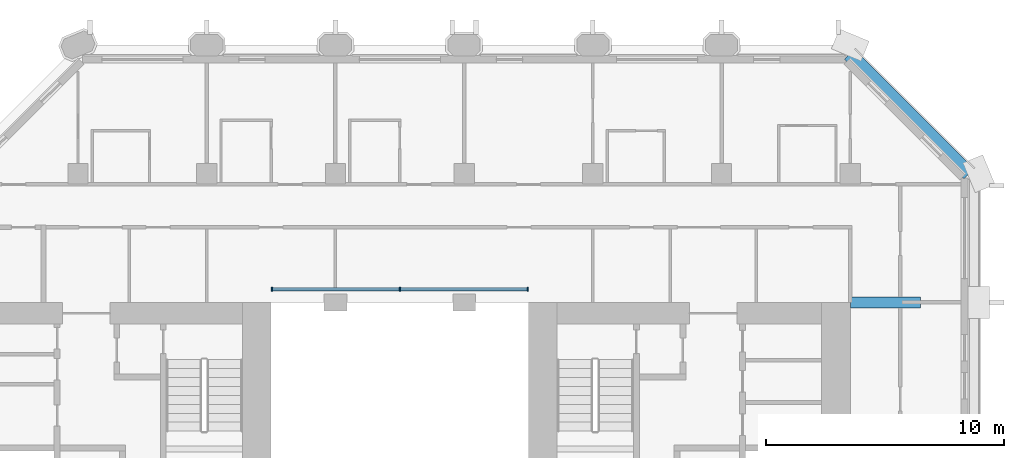
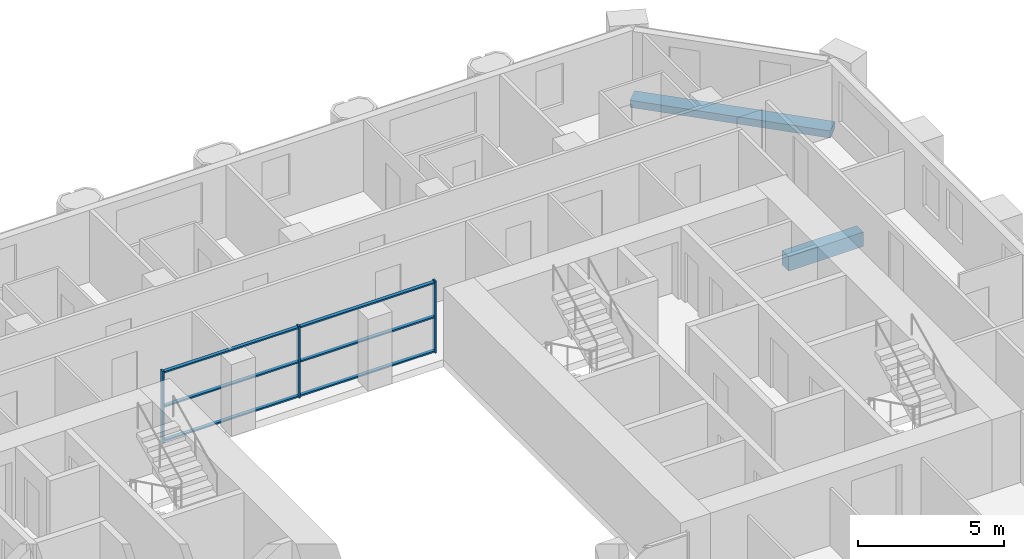
# One storey, part 4 of 13: 9 members, 2 beams, 1 element without a shape of its own.
"""IFC4 building model written with IfcOpenShell, lengths in metres."""

from ifc_helpers import new_model, si_unit, direction, frame, origin, origin_2d, place, context, subcontext, project, spatial, rectangle, extrude, material, material_profile, profile_set, type_object, element, aggregate, save


model = new_model("IFC4")

# Units and contexts
model_context = context("Model", 3, precision=1e-05, world=origin(), true_north=direction((0.0, 1.0)))
body_context = subcontext(model_context, "Body", "Model", "MODEL_VIEW")
ifc_project = project(units=[si_unit("LENGTHUNIT", "METRE"), si_unit("AREAUNIT", "SQUARE_METRE"), si_unit("VOLUMEUNIT", "CUBIC_METRE"), si_unit("PLANEANGLEUNIT", "RADIAN"), si_unit("MASSUNIT", "GRAM", prefix="KILO")], contexts=[model_context])

# Site, building, storey
site_placement = place(None, origin())
site = spatial("IfcSite", under=ifc_project, at=site_placement, CompositionType="ELEMENT")
building_placement = place(site_placement, origin())
building = spatial("IfcBuilding", under=site, at=building_placement, Name="Tabaq Tower and Sports Hall", CompositionType="ELEMENT")
storey_placement = place(building_placement, frame((0.0, 0.0, 169.300048828125)))
storey = spatial("IfcBuildingStorey", under=building, at=storey_placement, Name="L40", CompositionType="ELEMENT", Elevation=169.300048828125)

# Curtain wall, members
ifc_material_1 = material(Name="Aluminium alloy 6063-T6 framed glazing", Category="aluminium")
curtain_wall_type = type_object("IfcCurtainWallType", Name="CW1 curtain wall", PredefinedType="USERDEFINED", material=ifc_material_1)
curtain_wall_placement = place(storey_placement, origin())
curtain_wall = element("IfcCurtainWall", 1, at=curtain_wall_placement, inside=storey, type_object=curtain_wall_type, Name="Atrium glazing L40 N", ObjectType="ATRIUM ENCLOSURE", PredefinedType="USERDEFINED")
ifc_material_2 = material(Name="Aluminium alloy 6063-T6", Category="aluminium")
ifc_material_profile_1 = material_profile(ifc_material_2, rectangle(XDim=0.159912109375, YDim=0.06005859375, at=origin_2d()), Name="MULLION 160x60")
ifc_profile_set_1 = profile_set([ifc_material_profile_1], Name="Aluminium alloy 6063-T6")
member_type_1 = type_object("IfcMemberType", Name="CW1 mullion 160x60", PredefinedType="MULLION", material=ifc_profile_set_1)
member_1_placement = place(storey_placement, frame((18.929931640625, 32.949951171875, 0.0), z_axis=(0.0, 0.0, 1.0), x_axis=(0.0, 1.0, 0.0)))
member_1 = element("IfcMember", 2, at=member_1_placement, type_object=member_type_1, Name="CW1 mullion 1", PredefinedType="MULLION", context=body_context, shape_type="SweptSolid", body=[
    extrude(rectangle(XDim=0.159912109375, YDim=0.06005859375, at=origin_2d()), origin(), (0.0, 0.0, 1.0), 3.0),
])
member_2_placement = place(storey_placement, frame((24.300048828125, 32.949951171875, 0.0), z_axis=(0.0, 0.0, 1.0), x_axis=(0.0, 1.0, 0.0)))
member_2 = element("IfcMember", 3, at=member_2_placement, type_object=member_type_1, Name="CW1 mullion 2", PredefinedType="MULLION", context=body_context, shape_type="SweptSolid", body=[
    extrude(rectangle(XDim=0.159912109375, YDim=0.06005859375, at=origin_2d()), origin(), (0.0, 0.0, 1.0), 3.0),
])
member_3_placement = place(storey_placement, frame((29.669921875, 32.949951171875, 0.0), z_axis=(0.0, 0.0, 1.0), x_axis=(0.0, 1.0, 0.0)))
member_3 = element("IfcMember", 4, at=member_3_placement, type_object=member_type_1, Name="CW1 mullion 3", PredefinedType="MULLION", context=body_context, shape_type="SweptSolid", body=[
    extrude(rectangle(XDim=0.159912109375, YDim=0.06005859375, at=origin_2d()), origin(), (0.0, 0.0, 1.0), 3.0),
])
ifc_material_3 = material(Name="Aluminium alloy 6063-T6", Category="aluminium")
ifc_material_profile_2 = material_profile(ifc_material_3, rectangle(XDim=0.139892578125, YDim=0.06005859375, at=origin_2d()), Name="TRANSOM 140x60")
ifc_profile_set_2 = profile_set([ifc_material_profile_2], Name="Aluminium alloy 6063-T6")
member_type_2 = type_object("IfcMemberType", Name="CW1 transom 140x60", PredefinedType="USERDEFINED", material=ifc_profile_set_2)
member_4_placement = place(storey_placement, frame((18.9599609375, 32.949951171875, 0.070068359375), z_axis=(1.0, 0.0, 0.0), x_axis=(0.0, 1.0, 0.0)))
member_4 = element("IfcMember", 5, at=member_4_placement, type_object=member_type_2, Name="CW1 transom 1.1", ObjectType="TRANSOM", PredefinedType="USERDEFINED", context=body_context, shape_type="SweptSolid", body=[
    extrude(rectangle(XDim=0.139892578125, YDim=0.06005859375, at=origin_2d()), origin(), (0.0, 0.0, 1.0), 5.31005859375),
])
member_5_placement = place(storey_placement, frame((18.9599609375, 32.949951171875, 1.5), z_axis=(1.0, 0.0, 0.0), x_axis=(0.0, 1.0, 0.0)))
member_5 = element("IfcMember", 6, at=member_5_placement, type_object=member_type_2, Name="CW1 transom 1.2", ObjectType="TRANSOM", PredefinedType="USERDEFINED", context=body_context, shape_type="SweptSolid", body=[
    extrude(rectangle(XDim=0.139892578125, YDim=0.06005859375, at=origin_2d()), origin(), (0.0, 0.0, 1.0), 5.31005859375),
])
member_6_placement = place(storey_placement, frame((18.9599609375, 32.949951171875, 2.929931640625), z_axis=(1.0, 0.0, 0.0), x_axis=(0.0, 1.0, 0.0)))
member_6 = element("IfcMember", 7, at=member_6_placement, type_object=member_type_2, Name="CW1 transom 1.3", ObjectType="TRANSOM", PredefinedType="USERDEFINED", context=body_context, shape_type="SweptSolid", body=[
    extrude(rectangle(XDim=0.139892578125, YDim=0.06005859375, at=origin_2d()), origin(), (0.0, 0.0, 1.0), 5.31005859375),
])
member_7_placement = place(storey_placement, frame((24.330078125, 32.949951171875, 0.070068359375), z_axis=(1.0, 0.0, 0.0), x_axis=(0.0, 1.0, 0.0)))
member_7 = element("IfcMember", 8, at=member_7_placement, type_object=member_type_2, Name="CW1 transom 2.1", ObjectType="TRANSOM", PredefinedType="USERDEFINED", context=body_context, shape_type="SweptSolid", body=[
    extrude(rectangle(XDim=0.139892578125, YDim=0.06005859375, at=origin_2d()), origin(), (0.0, 0.0, 1.0), 5.309814453125),
])
member_8_placement = place(storey_placement, frame((24.330078125, 32.949951171875, 1.5), z_axis=(1.0, 0.0, 0.0), x_axis=(0.0, 1.0, 0.0)))
member_8 = element("IfcMember", 9, at=member_8_placement, type_object=member_type_2, Name="CW1 transom 2.2", ObjectType="TRANSOM", PredefinedType="USERDEFINED", context=body_context, shape_type="SweptSolid", body=[
    extrude(rectangle(XDim=0.139892578125, YDim=0.06005859375, at=origin_2d()), origin(), (0.0, 0.0, 1.0), 5.309814453125),
])
member_9_placement = place(storey_placement, frame((24.330078125, 32.949951171875, 2.929931640625), z_axis=(1.0, 0.0, 0.0), x_axis=(0.0, 1.0, 0.0)))
member_9 = element("IfcMember", 10, at=member_9_placement, type_object=member_type_2, Name="CW1 transom 2.3", ObjectType="TRANSOM", PredefinedType="USERDEFINED", context=body_context, shape_type="SweptSolid", body=[
    extrude(rectangle(XDim=0.139892578125, YDim=0.06005859375, at=origin_2d()), origin(), (0.0, 0.0, 1.0), 5.309814453125),
])
aggregate(curtain_wall, [member_1, member_2, member_3, member_4, member_5, member_6, member_7, member_8, member_9])

# Beams
ifc_material_4 = material(Name="Concrete C40/50", Category="concrete")
ifc_material_profile_3 = material_profile(ifc_material_4, rectangle(XDim=0.449951171875, YDim=0.60009765625, at=origin_2d()), Name="CB 450x600")
ifc_profile_set_3 = profile_set([ifc_material_profile_3], Name="Concrete C40/50")
beam_type_1 = type_object("IfcBeamType", Name="PT CANTILEVER BEAM CB 450x600 C40/50", PredefinedType="BEAM", material=ifc_profile_set_3)
beam_1_placement = place(storey_placement, frame((46.14990234375, 32.39990234375, -0.60009765625), z_axis=(-1.0, 0.0, 0.0), x_axis=(0.0, -1.0, 0.0)))
element("IfcBeam", 11, at=beam_1_placement, inside=storey, type_object=beam_type_1, Name="Cantilever Beam L40 E6 span 1", PredefinedType="BEAM", context=body_context, shape_type="SweptSolid", body=[
    extrude(rectangle(XDim=0.449951171875, YDim=0.60009765625, at=origin_2d()), origin(), (0.0, 0.0, 1.0), 2.949951171875),
])
ifc_material_5 = material(Name="Concrete C40/50", Category="concrete")
ifc_material_profile_4 = material_profile(ifc_material_5, rectangle(XDim=0.60009765625, YDim=0.300048828125, at=origin_2d()), Name="EB 600x300")
ifc_profile_set_4 = profile_set([ifc_material_profile_4], Name="Concrete C40/50")
beam_type_2 = type_object("IfcBeamType", Name="PT EDGE BEAM EB 600x300 C40/50", PredefinedType="SPANDREL", material=ifc_profile_set_4)
beam_2_placement = place(storey_placement, frame((48.1767578125, 37.799072265625, -0.150146484375), z_axis=(-0.707124002701, 0.707089559252, 0.0), x_axis=(-0.707089559252, -0.707124002701, 0.0)))
element("IfcBeam", 12, at=beam_2_placement, inside=storey, type_object=beam_type_2, Name="Edge Beam L40 4", PredefinedType="SPANDREL", context=body_context, shape_type="SweptSolid", body=[
    extrude(rectangle(XDim=0.60009765625, YDim=0.300048828125, at=origin_2d()), origin(), (0.0, 0.0, 1.0), 7.088134765625),
])

save(model, "model.ifc")
